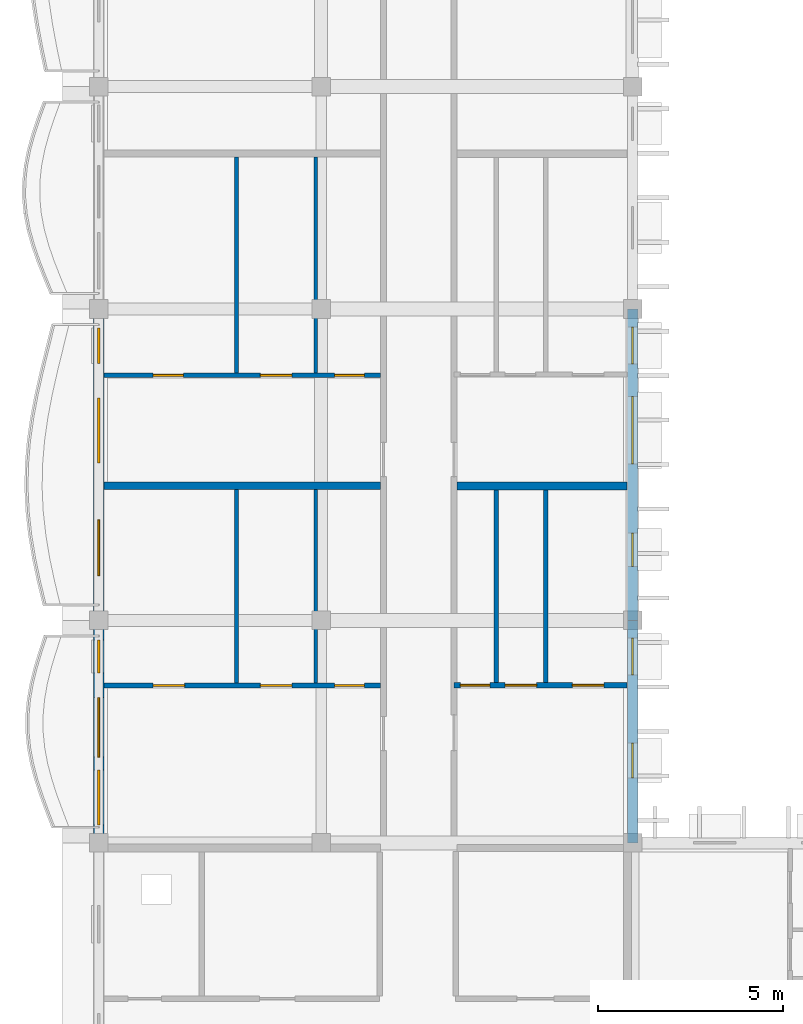
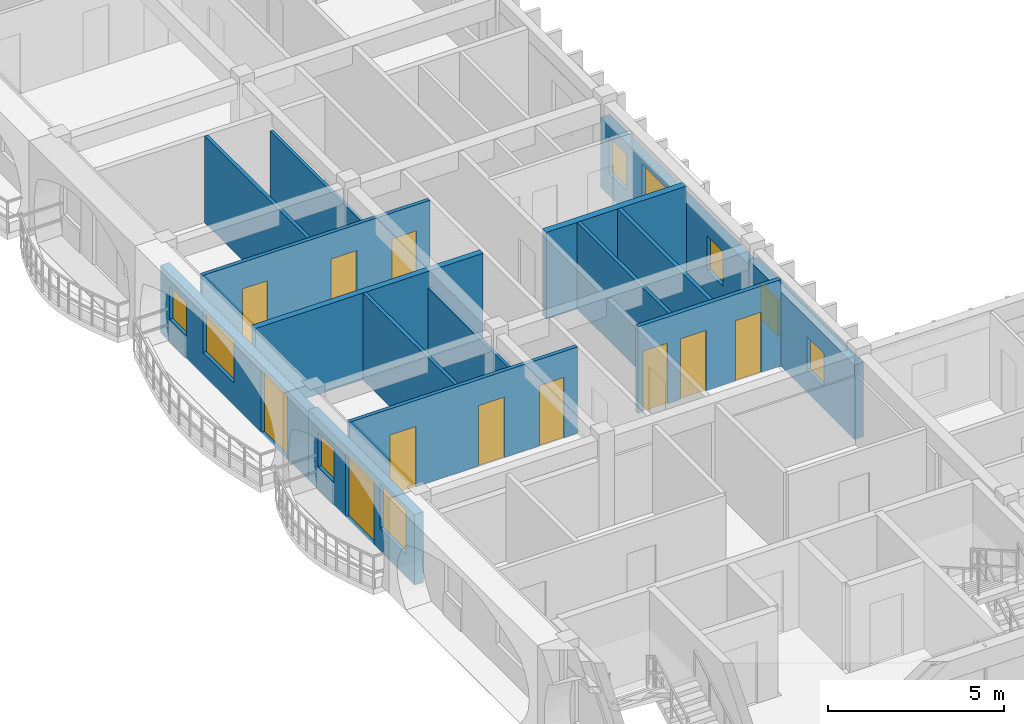
# One storey, part 15 of 66: 15 walls, 11 doors, 9 windows, 20 openings.
"""IFC4 building model written with IfcOpenShell, lengths in metres."""

from ifc_helpers import new_model, si_unit, direction, frame, frame_2d, origin, place, context, subcontext, project, spatial, rectangle, extrude, material, layer, layer_set, type_object, element, fill, save


model = new_model("IFC4")

# Units and contexts
model_context = context("Model", 3, precision=1e-05, world=origin(), true_north=direction((0.0, 1.0)))
body_context = subcontext(model_context, "Body", "Model", "MODEL_VIEW")
ifc_project = project(units=[si_unit("LENGTHUNIT", "METRE"), si_unit("AREAUNIT", "SQUARE_METRE"), si_unit("VOLUMEUNIT", "CUBIC_METRE"), si_unit("PLANEANGLEUNIT", "RADIAN"), si_unit("MASSUNIT", "GRAM", prefix="KILO"), si_unit("THERMODYNAMICTEMPERATUREUNIT", "KELVIN")], contexts=[model_context])

# Site, building, storey
site_placement = place(None, origin())
site = spatial("IfcSite", under=ifc_project, at=site_placement, CompositionType="ELEMENT")
building_placement = place(site_placement, origin())
building = spatial("IfcBuilding", under=site, at=building_placement, Name="Thalorik Housing Commons", CompositionType="ELEMENT")
storey_placement = place(building_placement, frame((0.0, 0.0, 21.300048828125)))
storey = spatial("IfcBuildingStorey", under=building, at=storey_placement, Name="L06", CompositionType="ELEMENT", Elevation=21.300048828125)

# Wall, openings, windows
ifc_material_1 = material(Name="White precast concrete C40/50", Category="concrete")
ifc_layer_1 = layer(ifc_material_1, 0.2900390625, Name="White precast concrete C40/50", Category="concrete")
ifc_layer_set_1 = layer_set([ifc_layer_1], Name="White precast concrete C40/50")
wall_type_1 = type_object("IfcWallType", Name="ARC-WAL-EXT-290", PredefinedType="STANDARD", material=ifc_layer_set_1)
wall_1_placement = place(storey_placement, frame((22.800048828125, 22.800048828125, 0.0), z_axis=(0.0, 0.0, 1.0), x_axis=(0.0, 1.0, 0.0)))
wall_1 = element("IfcWall", 1, at=wall_1_placement, inside=storey, type_object=wall_type_1, Name="L06 Exterior Wall WAL-EXT-L06-C-0989", PredefinedType="STANDARD", context=body_context, shape_type="SweptSolid", body=[
    extrude(rectangle(XDim=6.0, YDim=0.2900390625, at=frame_2d((3.0, 0.0))), origin(), (0.0, 0.0, 1.0), 2.574951171875),
])
opening_1_placement = place(wall_1_placement, frame((1.744873046875, 0.0, 0.780029296875)))
opening_1 = element("IfcOpeningElement", 2, at=opening_1_placement, cuts=wall_1, Name="Opening W-43", PredefinedType="OPENING", context=body_context, shape_type="SweptSolid", body=[
    extrude(rectangle(XDim=0.949951171875, YDim=1.14990234375, at=frame_2d((0.47509765625, 0.574951171875))), frame((0.0, 0.155029296875, 0.0), z_axis=(0.0, -1.0, 0.0), x_axis=(1.0, 0.0, 0.0)), (0.0, 0.0, 1.0), 0.31005859375),
])
opening_2_placement = place(wall_1_placement, frame((4.52978515625, 0.0, 0.780029296875)))
opening_2 = element("IfcOpeningElement", 3, at=opening_2_placement, cuts=wall_1, Name="Opening W-02", PredefinedType="OPENING", context=body_context, shape_type="SweptSolid", body=[
    extrude(rectangle(XDim=1.0, YDim=1.25, at=frame_2d((0.5, 0.625))), frame((0.0, 0.155029296875, 0.0), z_axis=(0.0, -1.0, 0.0), x_axis=(1.0, 0.0, 0.0)), (0.0, 0.0, 1.0), 0.31005859375),
])
ifc_material_2 = material(Name="Anodised aluminium and solar-control low-E glass", Category="aluminium")
window_type_1 = type_object("IfcWindowType", Name="ARC-WIN-02", PartitioningType="SINGLE_PANEL", PredefinedType="WINDOW", material=ifc_material_2)
window_1_placement = place(opening_2_placement, origin())
window_1 = element("IfcWindow", 4, at=window_1_placement, inside=storey, type_object=window_type_1, Name="L06 Facade Window 1826", OverallHeight=1.25, OverallWidth=1.0, PartitioningType="SINGLE_PANEL", PredefinedType="WINDOW", context=body_context, shape_type="SweptSolid", body=[
    extrude(rectangle(XDim=1.0, YDim=1.25, at=frame_2d((0.5, 0.625))), frame((0.0, 0.030029296875, 0.0), z_axis=(0.0, -1.0, 0.0), x_axis=(1.0, 0.0, 0.0)), (0.0, 0.0, 1.0), 0.06005859375),
])
fill(opening_2, window_1)
window_type_2 = type_object("IfcWindowType", Name="ARC-WIN-43", PartitioningType="SINGLE_PANEL", PredefinedType="WINDOW", material=ifc_material_2)
window_2_placement = place(opening_1_placement, origin())
window_2 = element("IfcWindow", 5, at=window_2_placement, inside=storey, type_object=window_type_2, Name="L06 Facade Window 1825", OverallHeight=1.14990234375, OverallWidth=0.949951171875, PartitioningType="SINGLE_PANEL", PredefinedType="WINDOW", context=body_context, shape_type="SweptSolid", body=[
    extrude(rectangle(XDim=0.949951171875, YDim=1.14990234375, at=frame_2d((0.47509765625, 0.574951171875))), frame((0.0, 0.030029296875, 0.0), z_axis=(0.0, -1.0, 0.0), x_axis=(1.0, 0.0, 0.0)), (0.0, 0.0, 1.0), 0.06005859375),
])
fill(opening_1, window_2)

wall_2_placement = place(storey_placement, frame((22.800048828125, 28.800048828125, 0.0), z_axis=(0.0, 0.0, 1.0), x_axis=(0.0, 1.0, 0.0)))
wall_2 = element("IfcWall", 6, at=wall_2_placement, inside=storey, type_object=wall_type_1, Name="L06 Exterior Wall WAL-EXT-L06-C-0990", PredefinedType="STANDARD", context=body_context, shape_type="SweptSolid", body=[
    extrude(rectangle(XDim=8.39990234375, YDim=0.2900390625, at=frame_2d((4.199951171875, 0.0))), origin(), (0.0, 0.0, 1.0), 2.425048828125),
])
opening_3_placement = place(wall_2_placement, frame((1.4599609375, 0.0, 0.780029296875)))
opening_3 = element("IfcOpeningElement", 7, at=opening_3_placement, cuts=wall_2, Name="Opening W-01", PredefinedType="OPENING", context=body_context, shape_type="SweptSolid", body=[
    extrude(rectangle(XDim=0.89990234375, YDim=1.199951171875, at=frame_2d((0.449951171875, 0.60009765625))), frame((0.0, 0.155029296875, 0.0), z_axis=(0.0, -1.0, 0.0), x_axis=(1.0, 0.0, 0.0)), (0.0, 0.0, 1.0), 0.31005859375),
])
opening_4_placement = place(wall_2_placement, frame((4.220458984375, 0.0, 0.780029296875)))
opening_4 = element("IfcOpeningElement", 8, at=opening_4_placement, cuts=wall_2, Name="Opening W-58", PredefinedType="OPENING", context=body_context, shape_type="SweptSolid", body=[
    extrude(rectangle(XDim=1.820068359375, YDim=1.4599609375, at=frame_2d((0.91015625, 0.72998046875))), frame((0.0, 0.155029296875, 0.0), z_axis=(0.0, -1.0, 0.0), x_axis=(1.0, 0.0, 0.0)), (0.0, 0.0, 1.0), 0.31005859375),
])
opening_5_placement = place(wall_2_placement, frame((6.92041015625, 0.0, 0.780029296875)))
opening_5 = element("IfcOpeningElement", 9, at=opening_5_placement, cuts=wall_2, Name="Opening W-02", PredefinedType="OPENING", context=body_context, shape_type="SweptSolid", body=[
    extrude(rectangle(XDim=1.0, YDim=1.25, at=frame_2d((0.5, 0.625))), frame((0.0, 0.155029296875, 0.0), z_axis=(0.0, -1.0, 0.0), x_axis=(1.0, 0.0, 0.0)), (0.0, 0.0, 1.0), 0.31005859375),
])
window_type_3 = type_object("IfcWindowType", Name="ARC-WIN-01", PartitioningType="SINGLE_PANEL", PredefinedType="WINDOW", material=ifc_material_2)
window_3_placement = place(opening_3_placement, origin())
window_3 = element("IfcWindow", 10, at=window_3_placement, inside=storey, type_object=window_type_3, Name="L06 Facade Window 1827", OverallHeight=1.199951171875, OverallWidth=0.89990234375, PartitioningType="SINGLE_PANEL", PredefinedType="WINDOW", context=body_context, shape_type="SweptSolid", body=[
    extrude(rectangle(XDim=0.89990234375, YDim=1.199951171875, at=frame_2d((0.449951171875, 0.60009765625))), frame((0.0, 0.030029296875, 0.0), z_axis=(0.0, -1.0, 0.0), x_axis=(1.0, 0.0, 0.0)), (0.0, 0.0, 1.0), 0.06005859375),
])
fill(opening_3, window_3)
window_4_placement = place(opening_5_placement, origin())
window_4 = element("IfcWindow", 11, at=window_4_placement, inside=storey, type_object=window_type_1, Name="L06 Facade Window 1829", OverallHeight=1.25, OverallWidth=1.0, PartitioningType="SINGLE_PANEL", PredefinedType="WINDOW", context=body_context, shape_type="SweptSolid", body=[
    extrude(rectangle(XDim=1.0, YDim=1.25, at=frame_2d((0.5, 0.625))), frame((0.0, 0.030029296875, 0.0), z_axis=(0.0, -1.0, 0.0), x_axis=(1.0, 0.0, 0.0)), (0.0, 0.0, 1.0), 0.06005859375),
])
fill(opening_5, window_4)
window_type_4 = type_object("IfcWindowType", Name="ARC-WIN-58", PartitioningType="DOUBLE_PANEL_VERTICAL", PredefinedType="WINDOW", material=ifc_material_2)
window_5_placement = place(opening_4_placement, origin())
window_5 = element("IfcWindow", 12, at=window_5_placement, inside=storey, type_object=window_type_4, Name="L06 Facade Window 1828", OverallHeight=1.4599609375, OverallWidth=1.820068359375, PartitioningType="DOUBLE_PANEL_VERTICAL", PredefinedType="WINDOW", context=body_context, shape_type="SweptSolid", body=[
    extrude(rectangle(XDim=1.820068359375, YDim=1.4599609375, at=frame_2d((0.91015625, 0.72998046875))), frame((0.0, 0.030029296875, 0.0), z_axis=(0.0, -1.0, 0.0), x_axis=(1.0, 0.0, 0.0)), (0.0, 0.0, 1.0), 0.06005859375),
])
fill(opening_4, window_5)

# Wall, openings, door, windows
wall_3_placement = place(storey_placement, frame((8.39990234375, 37.199951171875, 0.0), z_axis=(0.0, 0.0, 1.0), x_axis=(0.0, -1.0, 0.0)))
wall_3 = element("IfcWall", 13, at=wall_3_placement, inside=storey, type_object=wall_type_1, Name="L06 Exterior Wall WAL-EXT-L06-C-0999", PredefinedType="STANDARD", context=body_context, shape_type="SweptSolid", body=[
    extrude(rectangle(XDim=8.39990234375, YDim=0.2900390625, at=frame_2d((4.199951171875, 0.0))), origin(), (0.0, 0.0, 1.0), 2.344970703125),
])
opening_6_placement = place(wall_3_placement, frame((5.68994140625, 0.0, 0.0)))
opening_6 = element("IfcOpeningElement", 14, at=opening_6_placement, cuts=wall_3, Name="Opening ED-0331", PredefinedType="OPENING", context=body_context, shape_type="SweptSolid", body=[
    extrude(rectangle(XDim=1.5, YDim=2.199951171875, at=frame_2d((0.75, 1.10009765625))), frame((0.0, 0.155029296875, 0.0), z_axis=(0.0, -1.0, 0.0), x_axis=(1.0, 0.0, 0.0)), (0.0, 0.0, 1.0), 0.31005859375),
])
opening_7_placement = place(wall_3_placement, frame((0.514892578125, 0.0, 0.780029296875)))
opening_7 = element("IfcOpeningElement", 15, at=opening_7_placement, cuts=wall_3, Name="Opening W-43", PredefinedType="OPENING", context=body_context, shape_type="SweptSolid", body=[
    extrude(rectangle(XDim=0.949951171875, YDim=1.14990234375, at=frame_2d((0.47509765625, 0.574951171875))), frame((0.0, 0.155029296875, 0.0), z_axis=(0.0, -1.0, 0.0), x_axis=(1.0, 0.0, 0.0)), (0.0, 0.0, 1.0), 0.31005859375),
])
opening_8_placement = place(wall_3_placement, frame((2.405029296875, 0.0, 0.780029296875)))
opening_8 = element("IfcOpeningElement", 16, at=opening_8_placement, cuts=wall_3, Name="Opening W-17", PredefinedType="OPENING", context=body_context, shape_type="SweptSolid", body=[
    extrude(rectangle(XDim=1.75, YDim=1.449951171875, at=frame_2d((0.875, 0.72509765625))), frame((0.0, 0.155029296875, 0.0), z_axis=(0.0, -1.0, 0.0), x_axis=(1.0, 0.0, 0.0)), (0.0, 0.0, 1.0), 0.31005859375),
])
ifc_material_3 = material(Name="Anodised aluminium and laminated safety glass", Category="aluminium")
door_type_1 = type_object("IfcDoorType", Name="ARC-DR-BAL-1500", OperationType="NOTDEFINED", PredefinedType="DOOR", material=ifc_material_3)
door_1_placement = place(opening_6_placement, frame((1.5, 0.0, 0.0), z_axis=(0.0, 0.0, 1.0), x_axis=(-1.0, 0.0, 0.0)))
door_1 = element("IfcDoor", 17, at=door_1_placement, inside=storey, type_object=door_type_1, Name="L06 Block C Balcony Glazed Door", OperationType="SLIDING_TO_RIGHT", OverallHeight=2.199951171875, OverallWidth=1.5, PredefinedType="DOOR", context=body_context, shape_type="SweptSolid", body=[
    extrude(rectangle(XDim=1.5, YDim=2.199951171875, at=frame_2d((0.75, 1.10009765625))), frame((0.0, 0.02490234375, 0.0), z_axis=(0.0, -1.0, 0.0), x_axis=(1.0, 0.0, 0.0)), (0.0, 0.0, 1.0), 0.050048828125),
])
fill(opening_6, door_1)
window_type_5 = type_object("IfcWindowType", Name="ARC-WIN-17", PartitioningType="DOUBLE_PANEL_VERTICAL", PredefinedType="WINDOW", material=ifc_material_2)
window_6_placement = place(opening_8_placement, origin())
window_6 = element("IfcWindow", 18, at=window_6_placement, inside=storey, type_object=window_type_5, Name="L06 Facade Window 1848", OverallHeight=1.449951171875, OverallWidth=1.75, PartitioningType="DOUBLE_PANEL_VERTICAL", PredefinedType="WINDOW", context=body_context, shape_type="SweptSolid", body=[
    extrude(rectangle(XDim=1.75, YDim=1.449951171875, at=frame_2d((0.875, 0.72509765625))), frame((0.0, 0.030029296875, 0.0), z_axis=(0.0, -1.0, 0.0), x_axis=(1.0, 0.0, 0.0)), (0.0, 0.0, 1.0), 0.06005859375),
])
fill(opening_8, window_6)
window_7_placement = place(opening_7_placement, origin())
window_7 = element("IfcWindow", 19, at=window_7_placement, inside=storey, type_object=window_type_2, Name="L06 Facade Window 1847", OverallHeight=1.14990234375, OverallWidth=0.949951171875, PartitioningType="SINGLE_PANEL", PredefinedType="WINDOW", context=body_context, shape_type="SweptSolid", body=[
    extrude(rectangle(XDim=0.949951171875, YDim=1.14990234375, at=frame_2d((0.47509765625, 0.574951171875))), frame((0.0, 0.030029296875, 0.0), z_axis=(0.0, -1.0, 0.0), x_axis=(1.0, 0.0, 0.0)), (0.0, 0.0, 1.0), 0.06005859375),
])
fill(opening_7, window_7)

wall_4_placement = place(storey_placement, frame((8.39990234375, 28.800048828125, 0.0), z_axis=(0.0, 0.0, 1.0), x_axis=(0.0, -1.0, 0.0)))
wall_4 = element("IfcWall", 20, at=wall_4_placement, inside=storey, type_object=wall_type_1, Name="L06 Exterior Wall WAL-EXT-L06-C-1000", PredefinedType="STANDARD", context=body_context, shape_type="SweptSolid", body=[
    extrude(rectangle(XDim=6.0, YDim=0.2900390625, at=frame_2d((3.0, 0.0))), origin(), (0.0, 0.0, 1.0), 2.445068359375),
])
opening_9_placement = place(wall_4_placement, frame((2.0849609375, 0.0, 0.0)))
opening_9 = element("IfcOpeningElement", 21, at=opening_9_placement, cuts=wall_4, Name="Opening ED-0332", PredefinedType="OPENING", context=body_context, shape_type="SweptSolid", body=[
    extrude(rectangle(XDim=1.60009765625, YDim=2.199951171875, at=frame_2d((0.800048828125, 1.10009765625))), frame((0.0, 0.155029296875, 0.0), z_axis=(0.0, -1.0, 0.0), x_axis=(1.0, 0.0, 0.0)), (0.0, 0.0, 1.0), 0.31005859375),
])
opening_10_placement = place(wall_4_placement, frame((0.5224609375, 0.0, 0.780029296875)))
opening_10 = element("IfcOpeningElement", 22, at=opening_10_placement, cuts=wall_4, Name="Opening W-01", PredefinedType="OPENING", context=body_context, shape_type="SweptSolid", body=[
    extrude(rectangle(XDim=0.89990234375, YDim=1.199951171875, at=frame_2d((0.449951171875, 0.60009765625))), frame((0.0, 0.155029296875, 0.0), z_axis=(0.0, -1.0, 0.0), x_axis=(1.0, 0.0, 0.0)), (0.0, 0.0, 1.0), 0.31005859375),
])
opening_11_placement = place(wall_4_placement, frame((4.032470703125, 0.0, 0.780029296875)))
opening_11 = element("IfcOpeningElement", 23, at=opening_11_placement, cuts=wall_4, Name="Opening W-51", PredefinedType="OPENING", context=body_context, shape_type="SweptSolid", body=[
    extrude(rectangle(XDim=1.47998046875, YDim=1.52001953125, at=frame_2d((0.739990234375, 0.760009765625))), frame((0.0, 0.155029296875, 0.0), z_axis=(0.0, -1.0, 0.0), x_axis=(1.0, 0.0, 0.0)), (0.0, 0.0, 1.0), 0.31005859375),
])
door_type_2 = type_object("IfcDoorType", Name="ARC-DR-BAL-1600", OperationType="NOTDEFINED", PredefinedType="DOOR", material=ifc_material_3)
door_2_placement = place(opening_9_placement, frame((1.60009765625, 0.0, 0.0), z_axis=(0.0, 0.0, 1.0), x_axis=(-1.0, 0.0, 0.0)))
door_2 = element("IfcDoor", 24, at=door_2_placement, inside=storey, type_object=door_type_2, Name="L06 Block C Balcony Glazed Door", OperationType="SLIDING_TO_LEFT", OverallHeight=2.199951171875, OverallWidth=1.60009765625, PredefinedType="DOOR", context=body_context, shape_type="SweptSolid", body=[
    extrude(rectangle(XDim=1.60009765625, YDim=2.199951171875, at=frame_2d((0.800048828125, 1.10009765625))), frame((0.0, 0.02490234375, 0.0), z_axis=(0.0, -1.0, 0.0), x_axis=(1.0, 0.0, 0.0)), (0.0, 0.0, 1.0), 0.050048828125),
])
fill(opening_9, door_2)
window_8_placement = place(opening_10_placement, origin())
window_8 = element("IfcWindow", 25, at=window_8_placement, inside=storey, type_object=window_type_3, Name="L06 Facade Window 1849", OverallHeight=1.199951171875, OverallWidth=0.89990234375, PartitioningType="SINGLE_PANEL", PredefinedType="WINDOW", context=body_context, shape_type="SweptSolid", body=[
    extrude(rectangle(XDim=0.89990234375, YDim=1.199951171875, at=frame_2d((0.449951171875, 0.60009765625))), frame((0.0, 0.030029296875, 0.0), z_axis=(0.0, -1.0, 0.0), x_axis=(1.0, 0.0, 0.0)), (0.0, 0.0, 1.0), 0.06005859375),
])
fill(opening_10, window_8)
window_type_6 = type_object("IfcWindowType", Name="ARC-WIN-51", PartitioningType="SINGLE_PANEL", PredefinedType="WINDOW", material=ifc_material_2)
window_9_placement = place(opening_11_placement, origin())
window_9 = element("IfcWindow", 26, at=window_9_placement, inside=storey, type_object=window_type_6, Name="L06 Facade Window 1850", OverallHeight=1.52001953125, OverallWidth=1.47998046875, PartitioningType="SINGLE_PANEL", PredefinedType="WINDOW", context=body_context, shape_type="SweptSolid", body=[
    extrude(rectangle(XDim=1.47998046875, YDim=1.52001953125, at=frame_2d((0.739990234375, 0.760009765625))), frame((0.0, 0.030029296875, 0.0), z_axis=(0.0, -1.0, 0.0), x_axis=(1.0, 0.0, 0.0)), (0.0, 0.0, 1.0), 0.06005859375),
])
fill(opening_11, window_9)

# Walls
ifc_material_4 = material(Name="Gypsum light stud partition", Category="masonry")
ifc_layer_2 = layer(ifc_material_4, 0.10009765625, Name="Gypsum light stud partition", Category="masonry")
ifc_layer_set_2 = layer_set([ifc_layer_2], Name="Gypsum light stud partition")
wall_type_2 = type_object("IfcWallType", Name="ARC-WAL-PART-100", PredefinedType="PARTITIONING", material=ifc_layer_set_2)
wall_5_placement = place(storey_placement, frame((14.251220703125, 27.109619140625, 0.0), z_axis=(0.0, 0.0, 1.0), x_axis=(0.0, 1.0, 0.0)))
element("IfcWall", 27, at=wall_5_placement, inside=storey, type_object=wall_type_2, Name="L06 Unit 1 Wet Wall", PredefinedType="PARTITIONING", context=body_context, shape_type="SweptSolid", body=[
    extrude(rectangle(XDim=5.21826171875, YDim=0.10009765625, at=frame_2d((2.609130859375, 0.0))), origin(), (0.0, 0.0, 1.0), 2.425048828125),
])
wall_6_placement = place(storey_placement, frame((14.251220703125, 35.474609375, 0.0), z_axis=(0.0, 0.0, 1.0), x_axis=(0.0, 1.0, 0.0)))
element("IfcWall", 28, at=wall_6_placement, inside=storey, type_object=wall_type_2, Name="L06 Unit 2 Wet Wall", PredefinedType="PARTITIONING", context=body_context, shape_type="SweptSolid", body=[
    extrude(rectangle(XDim=5.82080078125, YDim=0.10009765625, at=frame_2d((2.910400390625, 0.0))), origin(), (0.0, 0.0, 1.0), 2.425048828125),
])
ifc_material_5 = material(Name="Gypsum moisture-resistant partition", Category="masonry")
ifc_layer_3 = layer(ifc_material_5, 0.114990234375, Name="Gypsum moisture-resistant partition", Category="masonry")
ifc_layer_set_3 = layer_set([ifc_layer_3], Name="Gypsum moisture-resistant partition")
wall_type_3 = type_object("IfcWallType", Name="ARC-WAL-PART-115", PredefinedType="PARTITIONING", material=ifc_layer_set_3)
wall_7_placement = place(storey_placement, frame((12.11767578125, 27.109619140625, 0.0), z_axis=(0.0, 0.0, 1.0), x_axis=(0.0, 1.0, 0.0)))
element("IfcWall", 29, at=wall_7_placement, inside=storey, type_object=wall_type_3, Name="L06 Unit 1 Bedroom Partition", PredefinedType="PARTITIONING", context=body_context, shape_type="SweptSolid", body=[
    extrude(rectangle(XDim=5.21826171875, YDim=0.114990234375, at=frame_2d((2.609130859375, 0.0))), origin(), (0.0, 0.0, 1.0), 3.0),
])
wall_8_placement = place(storey_placement, frame((19.122314453125, 27.12158203125, 0.0), z_axis=(0.0, 0.0, 1.0), x_axis=(0.0, 1.0, 0.0)))
element("IfcWall", 30, at=wall_8_placement, inside=storey, type_object=wall_type_3, Name="L06 Unit 1B Wet Wall", PredefinedType="PARTITIONING", context=body_context, shape_type="SweptSolid", body=[
    extrude(rectangle(XDim=5.196533203125, YDim=0.114990234375, at=frame_2d((2.59814453125, 0.0))), origin(), (0.0, 0.0, 1.0), 3.0),
])
wall_9_placement = place(storey_placement, frame((12.11767578125, 35.474609375, 0.0), z_axis=(0.0, 0.0, 1.0), x_axis=(0.0, 1.0, 0.0)))
element("IfcWall", 31, at=wall_9_placement, inside=storey, type_object=wall_type_3, Name="L06 Unit 2 Bedroom Partition", PredefinedType="PARTITIONING", context=body_context, shape_type="SweptSolid", body=[
    extrude(rectangle(XDim=5.82080078125, YDim=0.114990234375, at=frame_2d((2.910400390625, 0.0))), origin(), (0.0, 0.0, 1.0), 3.0),
])

# Wall, openings, doors
ifc_material_6 = material(Name="Gypsum acoustic stud partition", Category="masonry")
ifc_layer_4 = layer(ifc_material_6, 0.125, Name="Gypsum acoustic stud partition", Category="masonry")
ifc_layer_set_4 = layer_set([ifc_layer_4], Name="Gypsum acoustic stud partition")
wall_type_4 = type_object("IfcWallType", Name="ARC-WAL-PART-125", PredefinedType="PARTITIONING", material=ifc_layer_set_4)
wall_10_placement = place(storey_placement, frame((8.547119140625, 27.044921875, 0.0), z_axis=(0.0, 0.0, 1.0), x_axis=(1.0, 0.0, 0.0)))
wall_10 = element("IfcWall", 32, at=wall_10_placement, inside=storey, type_object=wall_type_4, Name="L06 Unit 1 Spine Partition", PredefinedType="PARTITIONING", context=body_context, shape_type="SweptSolid", body=[
    extrude(rectangle(XDim=7.455810546875, YDim=0.125, at=frame_2d((3.72802734375, 0.0))), origin(), (0.0, 0.0, 1.0), 3.0),
])
opening_12_placement = place(wall_10_placement, frame((1.31689453125, 0.0, 0.0)))
opening_12 = element("IfcOpeningElement", 33, at=opening_12_placement, cuts=wall_10, Name="Opening ID-1794", PredefinedType="OPENING", context=body_context, shape_type="SweptSolid", body=[
    extrude(rectangle(XDim=0.85009765625, YDim=2.10009765625, at=frame_2d((0.425048828125, 1.050048828125))), frame((0.0, 0.072509765625, 0.0), z_axis=(0.0, -1.0, 0.0), x_axis=(1.0, 0.0, 0.0)), (0.0, 0.0, 1.0), 0.14501953125),
])
opening_13_placement = place(wall_10_placement, frame((4.21240234375, 0.0, 0.0)))
opening_13 = element("IfcOpeningElement", 34, at=opening_13_placement, cuts=wall_10, Name="Opening ID-1795", PredefinedType="OPENING", context=body_context, shape_type="SweptSolid", body=[
    extrude(rectangle(XDim=0.85009765625, YDim=2.10009765625, at=frame_2d((0.425048828125, 1.050048828125))), frame((0.0, 0.072509765625, 0.0), z_axis=(0.0, -1.0, 0.0), x_axis=(1.0, 0.0, 0.0)), (0.0, 0.0, 1.0), 0.14501953125),
])
opening_14_placement = place(wall_10_placement, frame((6.218505859375, 0.0, 0.0)))
opening_14 = element("IfcOpeningElement", 35, at=opening_14_placement, cuts=wall_10, Name="Opening ID-1796", PredefinedType="OPENING", context=body_context, shape_type="SweptSolid", body=[
    extrude(rectangle(XDim=0.800048828125, YDim=2.10009765625, at=frame_2d((0.39990234375, 1.050048828125))), frame((0.0, 0.072509765625, 0.0), z_axis=(0.0, -1.0, 0.0), x_axis=(1.0, 0.0, 0.0)), (0.0, 0.0, 1.0), 0.14501953125),
])
ifc_material_7 = material(Name="Moisture-resistant timber", Category="wood")
door_type_3 = type_object("IfcDoorType", Name="ARC-DR-INT-800", OperationType="NOTDEFINED", PredefinedType="DOOR", material=ifc_material_7)
door_3_placement = place(opening_14_placement, origin())
door_3 = element("IfcDoor", 36, at=door_3_placement, inside=storey, type_object=door_type_3, Name="L06 Flat Bathroom Door", OperationType="SINGLE_SWING_LEFT", OverallHeight=2.10009765625, OverallWidth=0.800048828125, PredefinedType="DOOR", context=body_context, shape_type="SweptSolid", body=[
    extrude(rectangle(XDim=0.800048828125, YDim=2.10009765625, at=frame_2d((0.39990234375, 1.050048828125))), frame((0.0, 0.02490234375, 0.0), z_axis=(0.0, -1.0, 0.0), x_axis=(1.0, 0.0, 0.0)), (0.0, 0.0, 1.0), 0.050048828125),
])
fill(opening_14, door_3)
ifc_material_8 = material(Name="Engineered oak timber", Category="wood")
door_type_4 = type_object("IfcDoorType", Name="ARC-DR-INT-850", OperationType="NOTDEFINED", PredefinedType="DOOR", material=ifc_material_8)
door_4_placement = place(opening_12_placement, origin())
door_4 = element("IfcDoor", 37, at=door_4_placement, inside=storey, type_object=door_type_4, Name="L06 Double Bedroom Door", OperationType="SINGLE_SWING_LEFT", OverallHeight=2.10009765625, OverallWidth=0.85009765625, PredefinedType="DOOR", context=body_context, shape_type="SweptSolid", body=[
    extrude(rectangle(XDim=0.85009765625, YDim=2.10009765625, at=frame_2d((0.425048828125, 1.050048828125))), frame((0.0, 0.02490234375, 0.0), z_axis=(0.0, -1.0, 0.0), x_axis=(1.0, 0.0, 0.0)), (0.0, 0.0, 1.0), 0.050048828125),
])
fill(opening_12, door_4)
door_5_placement = place(opening_13_placement, origin())
door_5 = element("IfcDoor", 38, at=door_5_placement, inside=storey, type_object=door_type_4, Name="L06 Galley Kitchen Door", OperationType="SINGLE_SWING_RIGHT", OverallHeight=2.10009765625, OverallWidth=0.85009765625, PredefinedType="DOOR", context=body_context, shape_type="SweptSolid", body=[
    extrude(rectangle(XDim=0.85009765625, YDim=2.10009765625, at=frame_2d((0.425048828125, 1.050048828125))), frame((0.0, 0.02490234375, 0.0), z_axis=(0.0, -1.0, 0.0), x_axis=(1.0, 0.0, 0.0)), (0.0, 0.0, 1.0), 0.050048828125),
])
fill(opening_13, door_5)

# Wall
wall_11_placement = place(storey_placement, frame((20.455078125, 27.12158203125, 0.0), z_axis=(0.0, 0.0, 1.0), x_axis=(0.0, 1.0, 0.0)))
element("IfcWall", 39, at=wall_11_placement, inside=storey, type_object=wall_type_4, Name="L06 Unit 1B Bedroom Partition", PredefinedType="PARTITIONING", context=body_context, shape_type="SweptSolid", body=[
    extrude(rectangle(XDim=5.196533203125, YDim=0.125, at=frame_2d((2.59814453125, 0.0))), origin(), (0.0, 0.0, 1.0), 3.0),
])

# Wall, openings, doors
wall_12_placement = place(storey_placement, frame((8.547119140625, 35.409912109375, 0.0), z_axis=(0.0, 0.0, 1.0), x_axis=(1.0, 0.0, 0.0)))
wall_12 = element("IfcWall", 40, at=wall_12_placement, inside=storey, type_object=wall_type_4, Name="L06 Unit 2 Spine Partition", PredefinedType="PARTITIONING", context=body_context, shape_type="SweptSolid", body=[
    extrude(rectangle(XDim=7.455810546875, YDim=0.125, at=frame_2d((3.72802734375, 0.0))), origin(), (0.0, 0.0, 1.0), 3.0),
])
opening_15_placement = place(wall_12_placement, frame((1.31689453125, 0.0, 0.0)))
opening_15 = element("IfcOpeningElement", 41, at=opening_15_placement, cuts=wall_12, Name="Opening ID-1800", PredefinedType="OPENING", context=body_context, shape_type="SweptSolid", body=[
    extrude(rectangle(XDim=0.820068359375, YDim=2.080078125, at=frame_2d((0.41015625, 1.0400390625))), frame((0.0, 0.072509765625, 0.0), z_axis=(0.0, -1.0, 0.0), x_axis=(1.0, 0.0, 0.0)), (0.0, 0.0, 1.0), 0.14501953125),
])
opening_16_placement = place(wall_12_placement, frame((4.21240234375, 0.0, 0.0)))
opening_16 = element("IfcOpeningElement", 42, at=opening_16_placement, cuts=wall_12, Name="Opening ID-1801", PredefinedType="OPENING", context=body_context, shape_type="SweptSolid", body=[
    extrude(rectangle(XDim=0.85009765625, YDim=2.10009765625, at=frame_2d((0.425048828125, 1.050048828125))), frame((0.0, 0.072509765625, 0.0), z_axis=(0.0, -1.0, 0.0), x_axis=(1.0, 0.0, 0.0)), (0.0, 0.0, 1.0), 0.14501953125),
])
opening_17_placement = place(wall_12_placement, frame((6.218505859375, 0.0, 0.0)))
opening_17 = element("IfcOpeningElement", 43, at=opening_17_placement, cuts=wall_12, Name="Opening ID-1802", PredefinedType="OPENING", context=body_context, shape_type="SweptSolid", body=[
    extrude(rectangle(XDim=0.800048828125, YDim=2.10009765625, at=frame_2d((0.39990234375, 1.050048828125))), frame((0.0, 0.072509765625, 0.0), z_axis=(0.0, -1.0, 0.0), x_axis=(1.0, 0.0, 0.0)), (0.0, 0.0, 1.0), 0.14501953125),
])
door_6_placement = place(opening_17_placement, origin())
door_6 = element("IfcDoor", 44, at=door_6_placement, inside=storey, type_object=door_type_3, Name="L06 Accessible Bathroom Door", OperationType="SINGLE_SWING_LEFT", OverallHeight=2.10009765625, OverallWidth=0.800048828125, PredefinedType="DOOR", context=body_context, shape_type="SweptSolid", body=[
    extrude(rectangle(XDim=0.800048828125, YDim=2.10009765625, at=frame_2d((0.39990234375, 1.050048828125))), frame((0.0, 0.02490234375, 0.0), z_axis=(0.0, -1.0, 0.0), x_axis=(1.0, 0.0, 0.0)), (0.0, 0.0, 1.0), 0.050048828125),
])
fill(opening_17, door_6)
door_type_5 = type_object("IfcDoorType", Name="ARC-DR-INT-820", OperationType="NOTDEFINED", PredefinedType="DOOR", material=ifc_material_8)
door_7_placement = place(opening_15_placement, origin())
door_7 = element("IfcDoor", 45, at=door_7_placement, inside=storey, type_object=door_type_5, Name="L06 Single Bedroom Door", OperationType="SINGLE_SWING_LEFT", OverallHeight=2.080078125, OverallWidth=0.820068359375, PredefinedType="DOOR", context=body_context, shape_type="SweptSolid", body=[
    extrude(rectangle(XDim=0.820068359375, YDim=2.080078125, at=frame_2d((0.41015625, 1.0400390625))), frame((0.0, 0.02490234375, 0.0), z_axis=(0.0, -1.0, 0.0), x_axis=(1.0, 0.0, 0.0)), (0.0, 0.0, 1.0), 0.050048828125),
])
fill(opening_15, door_7)
door_8_placement = place(opening_16_placement, origin())
door_8 = element("IfcDoor", 46, at=door_8_placement, inside=storey, type_object=door_type_4, Name="L06 Eat-In Kitchen Door", OperationType="SINGLE_SWING_RIGHT", OverallHeight=2.10009765625, OverallWidth=0.85009765625, PredefinedType="DOOR", context=body_context, shape_type="SweptSolid", body=[
    extrude(rectangle(XDim=0.85009765625, YDim=2.10009765625, at=frame_2d((0.425048828125, 1.050048828125))), frame((0.0, 0.02490234375, 0.0), z_axis=(0.0, -1.0, 0.0), x_axis=(1.0, 0.0, 0.0)), (0.0, 0.0, 1.0), 0.050048828125),
])
fill(opening_16, door_8)

ifc_material_9 = material(Name="Ceramic masonry partition wall", Category="masonry")
ifc_layer_5 = layer(ifc_material_9, 0.139892578125, Name="Ceramic masonry partition wall", Category="masonry")
ifc_layer_set_5 = layer_set([ifc_layer_5], Name="Ceramic masonry partition wall")
wall_type_5 = type_object("IfcWallType", Name="ARC-WAL-PART-140", PredefinedType="PARTITIONING", material=ifc_layer_set_5)
wall_13_placement = place(storey_placement, frame((17.97998046875, 27.049560546875, 0.0), z_axis=(0.0, 0.0, 1.0), x_axis=(1.0, 0.0, 0.0)))
wall_13 = element("IfcWall", 47, at=wall_13_placement, inside=storey, type_object=wall_type_5, Name="L06 Unit 1B Spine Partition", PredefinedType="PARTITIONING", context=body_context, shape_type="SweptSolid", body=[
    extrude(rectangle(XDim=4.673095703125, YDim=0.139892578125, at=frame_2d((2.33642578125, 0.0))), origin(), (0.0, 0.0, 1.0), 3.0),
])
opening_18_placement = place(wall_13_placement, frame((0.171142578125, 0.0, 0.0)))
opening_18 = element("IfcOpeningElement", 48, at=opening_18_placement, cuts=wall_13, Name="Opening ID-1797", PredefinedType="OPENING", context=body_context, shape_type="SweptSolid", body=[
    extrude(rectangle(XDim=0.800048828125, YDim=2.10009765625, at=frame_2d((0.39990234375, 1.050048828125))), frame((0.0, 0.080078125, 0.0), z_axis=(0.0, -1.0, 0.0), x_axis=(1.0, 0.0, 0.0)), (0.0, 0.0, 1.0), 0.159912109375),
])
opening_19_placement = place(wall_13_placement, frame((1.3837890625, 0.0, 0.0)))
opening_19 = element("IfcOpeningElement", 49, at=opening_19_placement, cuts=wall_13, Name="Opening ID-1798", PredefinedType="OPENING", context=body_context, shape_type="SweptSolid", body=[
    extrude(rectangle(XDim=0.85009765625, YDim=2.10009765625, at=frame_2d((0.425048828125, 1.050048828125))), frame((0.0, 0.080078125, 0.0), z_axis=(0.0, -1.0, 0.0), x_axis=(1.0, 0.0, 0.0)), (0.0, 0.0, 1.0), 0.159912109375),
])
opening_20_placement = place(wall_13_placement, frame((3.192626953125, 0.0, 0.0)))
opening_20 = element("IfcOpeningElement", 50, at=opening_20_placement, cuts=wall_13, Name="Opening ID-1799", PredefinedType="OPENING", context=body_context, shape_type="SweptSolid", body=[
    extrude(rectangle(XDim=0.85009765625, YDim=2.10009765625, at=frame_2d((0.425048828125, 1.050048828125))), frame((0.0, 0.080078125, 0.0), z_axis=(0.0, -1.0, 0.0), x_axis=(1.0, 0.0, 0.0)), (0.0, 0.0, 1.0), 0.159912109375),
])
door_9_placement = place(opening_18_placement, origin())
door_9 = element("IfcDoor", 51, at=door_9_placement, inside=storey, type_object=door_type_3, Name="L06 Flat Bathroom Door", OperationType="SINGLE_SWING_RIGHT", OverallHeight=2.10009765625, OverallWidth=0.800048828125, PredefinedType="DOOR", context=body_context, shape_type="SweptSolid", body=[
    extrude(rectangle(XDim=0.800048828125, YDim=2.10009765625, at=frame_2d((0.39990234375, 1.050048828125))), frame((0.0, 0.02490234375, 0.0), z_axis=(0.0, -1.0, 0.0), x_axis=(1.0, 0.0, 0.0)), (0.0, 0.0, 1.0), 0.050048828125),
])
fill(opening_18, door_9)
door_10_placement = place(opening_19_placement, origin())
door_10 = element("IfcDoor", 52, at=door_10_placement, inside=storey, type_object=door_type_4, Name="L06 Galley Kitchen Door", OperationType="SINGLE_SWING_LEFT", OverallHeight=2.10009765625, OverallWidth=0.85009765625, PredefinedType="DOOR", context=body_context, shape_type="SweptSolid", body=[
    extrude(rectangle(XDim=0.85009765625, YDim=2.10009765625, at=frame_2d((0.425048828125, 1.050048828125))), frame((0.0, 0.02490234375, 0.0), z_axis=(0.0, -1.0, 0.0), x_axis=(1.0, 0.0, 0.0)), (0.0, 0.0, 1.0), 0.050048828125),
])
fill(opening_19, door_10)
door_11_placement = place(opening_20_placement, origin())
door_11 = element("IfcDoor", 53, at=door_11_placement, inside=storey, type_object=door_type_4, Name="L06 Single Bedroom Door", OperationType="SINGLE_SWING_RIGHT", OverallHeight=2.10009765625, OverallWidth=0.85009765625, PredefinedType="DOOR", context=body_context, shape_type="SweptSolid", body=[
    extrude(rectangle(XDim=0.85009765625, YDim=2.10009765625, at=frame_2d((0.425048828125, 1.050048828125))), frame((0.0, 0.02490234375, 0.0), z_axis=(0.0, -1.0, 0.0), x_axis=(1.0, 0.0, 0.0)), (0.0, 0.0, 1.0), 0.050048828125),
])
fill(opening_20, door_11)

# Walls
ifc_material_10 = material(Name="Precast concrete C40/50 acoustic wall", Category="concrete")
ifc_layer_6 = layer(ifc_material_10, 0.199951171875, Name="Precast concrete C40/50 acoustic wall", Category="concrete")
ifc_layer_set_6 = layer_set([ifc_layer_6], Name="Precast concrete C40/50 acoustic wall")
wall_type_6 = type_object("IfcWallType", Name="ARC-WAL-PARTY-200", PredefinedType="PARTITIONING", material=ifc_layer_set_6)
wall_14_placement = place(storey_placement, frame((8.547119140625, 32.429931640625, 0.0), z_axis=(0.0, 0.0, 1.0), x_axis=(1.0, 0.0, 0.0)))
element("IfcWall", 54, at=wall_14_placement, inside=storey, type_object=wall_type_6, Name="L06 Inter-Tenancy Wall 1A", PredefinedType="PARTITIONING", context=body_context, shape_type="SweptSolid", body=[
    extrude(rectangle(XDim=7.455810546875, YDim=0.199951171875, at=frame_2d((3.72802734375, 0.0))), origin(), (0.0, 0.0, 1.0), 3.0),
])
ifc_layer_7 = layer(ifc_material_10, 0.219970703125, Name="Precast concrete C40/50 acoustic wall", Category="concrete")
ifc_layer_set_7 = layer_set([ifc_layer_7], Name="Precast concrete C40/50 acoustic wall")
wall_type_7 = type_object("IfcWallType", Name="ARC-WAL-PARTY-220", PredefinedType="PARTITIONING", material=ifc_layer_set_7)
wall_15_placement = place(storey_placement, frame((18.064453125, 32.429931640625, 0.0), z_axis=(0.0, 0.0, 1.0), x_axis=(1.0, 0.0, 0.0)))
element("IfcWall", 55, at=wall_15_placement, inside=storey, type_object=wall_type_7, Name="L06 Inter-Tenancy Wall 1B", PredefinedType="PARTITIONING", context=body_context, shape_type="SweptSolid", body=[
    extrude(rectangle(XDim=4.588623046875, YDim=0.219970703125, at=frame_2d((2.29443359375, 0.0))), origin(), (0.0, 0.0, 1.0), 3.0),
])

save(model, "model.ifc")
